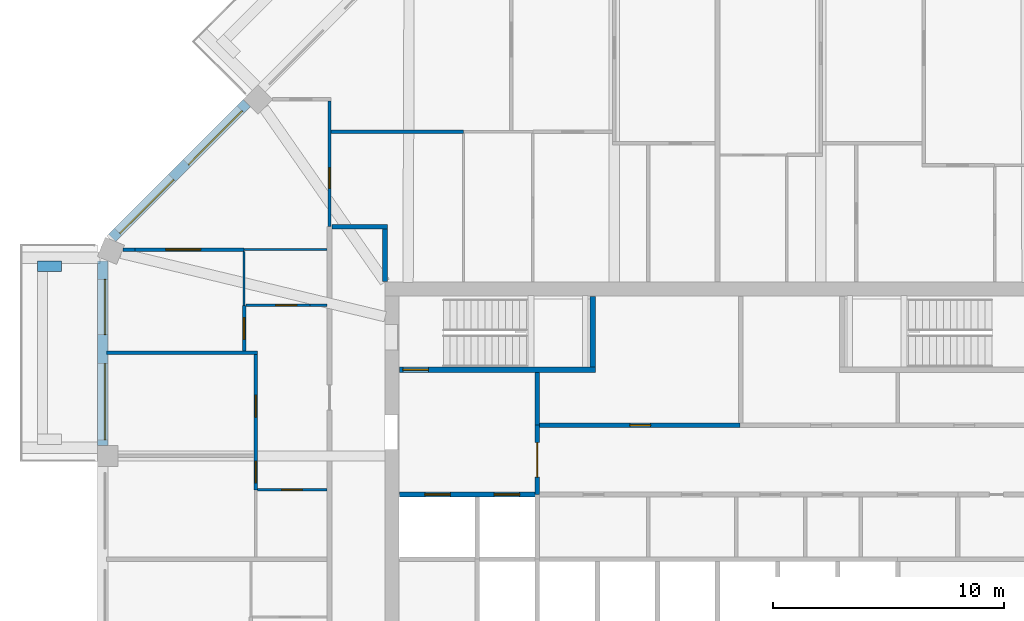
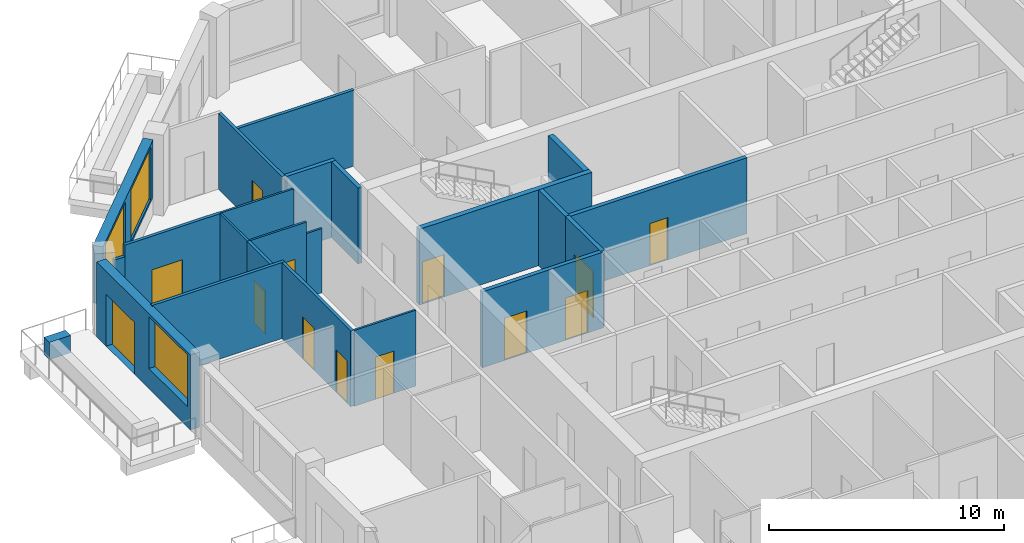
# One storey, part 7 of 12: 23 walls, 13 doors, 3 windows, 16 openings.
"""IFC4 building model written with IfcOpenShell, lengths in metres."""

from ifc_helpers import new_model, si_unit, direction, frame, frame_2d, origin, place, context, subcontext, project, spatial, rectangle, extrude, material, layer, layer_set, type_object, element, fill, save


model = new_model("IFC4")

# Units and contexts
model_context = context("Model", 3, precision=1e-05, world=origin(), true_north=direction((0.0, 1.0)))
body_context = subcontext(model_context, "Body", "Model", "MODEL_VIEW")
ifc_project = project(units=[si_unit("LENGTHUNIT", "METRE"), si_unit("AREAUNIT", "SQUARE_METRE"), si_unit("VOLUMEUNIT", "CUBIC_METRE"), si_unit("PLANEANGLEUNIT", "RADIAN"), si_unit("MASSUNIT", "GRAM", prefix="KILO")], contexts=[model_context])

# Site, building, storey
site_placement = place(None, origin())
site = spatial("IfcSite", under=ifc_project, at=site_placement, CompositionType="ELEMENT")
building_placement = place(site_placement, origin())
building = spatial("IfcBuilding", under=site, at=building_placement, Name="Msitu Wima Residences", CompositionType="ELEMENT")
storey_placement = place(building_placement, frame((0.0, 0.0, 272.699951171875)))
storey = spatial("IfcBuildingStorey", under=building, at=storey_placement, Name="L63", CompositionType="ELEMENT", Elevation=272.699951171875)

# Wall
ifc_material_1 = material(Name="Facing brick")
ifc_layer_1 = layer(ifc_material_1, 0.06494140625, Name="Facing brick")
ifc_material_2 = material(Name="Concrete C40/50", Category="concrete")
ifc_layer_2 = layer(ifc_material_2, 0.156005859375, Name="Concrete C40/50")
ifc_material_3 = material(Name="Waterproofing membrane")
ifc_layer_3 = layer(ifc_material_3, 0.00390625, Name="Waterproofing membrane")
ifc_material_4 = material(Name="Planting soil and planting")
ifc_layer_4 = layer(ifc_material_4, 0.22509765625, Name="Planting soil and planting")
ifc_layer_set_1 = layer_set([ifc_layer_1, ifc_layer_2, ifc_layer_3, ifc_layer_4], Name="Concrete C40/50")
wall_type_1 = type_object("IfcWallType", Name="Balcony planter PLANTER PL450", PredefinedType="USERDEFINED", material=ifc_layer_set_1)
wall_1_placement = place(storey_placement, frame((-28.39990234375, 12.680908203125, 0.0), z_axis=(0.0, 0.0, 1.0), x_axis=(-1.0, 0.0, 0.0)))
element("IfcWall", 1, at=wall_1_placement, inside=storey, type_object=wall_type_1, Name="Balcony planter W0 L63", ObjectType="PLANTER", PredefinedType="USERDEFINED", context=body_context, shape_type="SweptSolid", body=[
    extrude(rectangle(XDim=1.050048828125, YDim=0.449951171875, at=frame_2d((0.52490234375, 0.0))), origin(), (0.0, 0.0, 1.0), 0.900146484375),
])

# Wall, openings, windows
ifc_material_5 = material(Name="Brick (red buff mix)", Category="masonry")
ifc_layer_5 = layer(ifc_material_5, 0.449951171875)
ifc_layer_set_2 = layer_set([ifc_layer_5], Name="Brick (red buff mix)")
wall_type_2 = type_object("IfcWallType", Name="Brick infill wall BW450", PredefinedType="SOLIDWALL", material=ifc_layer_set_2)
wall_2_placement = place(storey_placement, frame((-20.380126953125, 19.743896484375, 0.900146484375), z_axis=(0.0, 0.0, 1.0), x_axis=(-0.707106781187, -0.707106781187, 0.0)))
wall_2 = element("IfcWall", 2, at=wall_2_placement, inside=storey, type_object=wall_type_2, Name="Brick infill wall L63 NW1", PredefinedType="SOLIDWALL", context=body_context, shape_type="SweptSolid", body=[
    extrude(rectangle(XDim=8.251220703125, YDim=0.449951171875, at=frame_2d((4.12548828125, 0.0))), origin(), (0.0, 0.0, 1.0), 3.0),
])
opening_1_placement = place(wall_2_placement, frame((0.37548828125, 0.0, 0.14990234375)))
opening_1 = element("IfcOpeningElement", 3, at=opening_1_placement, cuts=wall_2, Name="Opening W63-64.014", PredefinedType="OPENING", context=body_context, shape_type="SweptSolid", body=[
    extrude(rectangle(XDim=3.300048828125, YDim=2.699951171875, at=frame_2d((1.64990234375, 1.35009765625))), frame((0.0, 0.23486328125, 0.0), z_axis=(0.0, -1.0, 0.0), x_axis=(1.0, 0.0, 0.0)), (0.0, 0.0, 1.0), 0.469970703125),
])
opening_2_placement = place(wall_2_placement, frame((4.57568359375, 0.0, 0.14990234375)))
opening_2 = element("IfcOpeningElement", 4, at=opening_2_placement, cuts=wall_2, Name="Opening W63-64.015", PredefinedType="OPENING", context=body_context, shape_type="SweptSolid", body=[
    extrude(rectangle(XDim=3.300048828125, YDim=2.699951171875, at=frame_2d((1.64990234375, 1.35009765625))), frame((0.0, 0.23486328125, 0.0), z_axis=(0.0, -1.0, 0.0), x_axis=(1.0, 0.0, 0.0)), (0.0, 0.0, 1.0), 0.469970703125),
])
ifc_material_6 = material(Name="Anodised aluminium, bronze finish, clear low-emissivity double glazing", Category="aluminium")
window_type = type_object("IfcWindowType", Name="Window W3300x2700", PartitioningType="DOUBLE_PANEL_VERTICAL", PredefinedType="WINDOW", material=ifc_material_6)
window_1_placement = place(opening_1_placement, origin())
window_1 = element("IfcWindow", 5, at=window_1_placement, inside=storey, type_object=window_type, Name="Window L63 NW1.1", OverallHeight=2.699951171875, OverallWidth=3.300048828125, PartitioningType="SINGLE_PANEL", PredefinedType="WINDOW", context=body_context, shape_type="SweptSolid", body=[
    extrude(rectangle(XDim=3.300048828125, YDim=2.699951171875, at=frame_2d((1.64990234375, 1.35009765625))), frame((0.0, 0.135009765625, 0.0), z_axis=(0.0, -1.0, 0.0), x_axis=(1.0, 0.0, 0.0)), (0.0, 0.0, 1.0), 0.06005859375),
])
fill(opening_1, window_1)
window_2_placement = place(opening_2_placement, origin())
window_2 = element("IfcWindow", 6, at=window_2_placement, inside=storey, type_object=window_type, Name="Window L63 NW1.2", OverallHeight=2.699951171875, OverallWidth=3.300048828125, PartitioningType="SINGLE_PANEL", PredefinedType="WINDOW", context=body_context, shape_type="SweptSolid", body=[
    extrude(rectangle(XDim=3.300048828125, YDim=2.699951171875, at=frame_2d((1.64990234375, 1.35009765625))), frame((0.0, 0.135009765625, 0.0), z_axis=(0.0, -1.0, 0.0), x_axis=(1.0, 0.0, 0.0)), (0.0, 0.0, 1.0), 0.06005859375),
])
fill(opening_2, window_2)

# Wall, openings, door, window
wall_3_placement = place(storey_placement, frame((-26.625, 12.918701171875, 0.0), z_axis=(0.0, 0.0, 1.0), x_axis=(0.0, -1.0, 0.0)))
wall_3 = element("IfcWall", 7, at=wall_3_placement, inside=storey, type_object=wall_type_2, Name="Brick infill wall L63 W0", PredefinedType="SOLIDWALL", context=body_context, shape_type="SweptSolid", body=[
    extrude(rectangle(XDim=8.0, YDim=0.449951171875, at=frame_2d((4.0, 0.0))), origin(), (0.0, 0.0, 1.0), 3.900146484375),
])
opening_3_placement = place(wall_3_placement, frame((0.800048828125, 0.0, 0.0)))
opening_3 = element("IfcOpeningElement", 8, at=opening_3_placement, cuts=wall_3, Name="Opening D63-64.009", PredefinedType="OPENING", context=body_context, shape_type="SweptSolid", body=[
    extrude(rectangle(XDim=2.39990234375, YDim=2.699951171875, at=frame_2d((1.199951171875, 1.35009765625))), frame((0.0, 0.23486328125, 0.0), z_axis=(0.0, -1.0, 0.0), x_axis=(1.0, 0.0, 0.0)), (0.0, 0.0, 1.0), 0.469970703125),
])
opening_4_placement = place(wall_3_placement, frame((4.4501953125, 0.0, 1.050048828125)))
opening_4 = element("IfcOpeningElement", 9, at=opening_4_placement, cuts=wall_3, Name="Opening W63-64.027", PredefinedType="OPENING", context=body_context, shape_type="SweptSolid", body=[
    extrude(rectangle(XDim=3.300048828125, YDim=2.699951171875, at=frame_2d((1.64990234375, 1.35009765625))), frame((0.0, 0.23486328125, 0.0), z_axis=(0.0, -1.0, 0.0), x_axis=(1.0, 0.0, 0.0)), (0.0, 0.0, 1.0), 0.469970703125),
])
door_type_1 = type_object("IfcDoorType", Name="Balcony door D2400x2700", OperationType="SLIDING_TO_LEFT", PredefinedType="DOOR", material=ifc_material_6)
door_1_placement = place(opening_3_placement, origin())
door_1 = element("IfcDoor", 10, at=door_1_placement, inside=storey, type_object=door_type_1, Name="Balcony door L63 W0", OperationType="SINGLE_SWING_LEFT", OverallHeight=2.699951171875, OverallWidth=2.39990234375, PredefinedType="DOOR", context=body_context, shape_type="SweptSolid", body=[
    extrude(rectangle(XDim=2.39990234375, YDim=2.699951171875, at=frame_2d((1.199951171875, 1.35009765625))), frame((0.0, 0.1298828125, 0.0), z_axis=(0.0, -1.0, 0.0), x_axis=(1.0, 0.0, 0.0)), (0.0, 0.0, 1.0), 0.050048828125),
])
fill(opening_3, door_1)
window_3_placement = place(opening_4_placement, origin())
window_3 = element("IfcWindow", 11, at=window_3_placement, inside=storey, type_object=window_type, Name="Window L63 W0.2", OverallHeight=2.699951171875, OverallWidth=3.300048828125, PartitioningType="SINGLE_PANEL", PredefinedType="WINDOW", context=body_context, shape_type="SweptSolid", body=[
    extrude(rectangle(XDim=3.300048828125, YDim=2.699951171875, at=frame_2d((1.64990234375, 1.35009765625))), frame((0.0, 0.135009765625, 0.0), z_axis=(0.0, -1.0, 0.0), x_axis=(1.0, 0.0, 0.0)), (0.0, 0.0, 1.0), 0.06005859375),
])
fill(opening_4, window_3)

# Walls
ifc_material_7 = material(Name="Plaster")
ifc_layer_6 = layer(ifc_material_7, 0.011962890625, Name="Plaster")
ifc_material_8 = material(Name="Concrete blockwork", Category="masonry")
ifc_layer_7 = layer(ifc_material_8, 0.176025390625, Name="Concrete blockwork")
ifc_layer_8 = layer(ifc_material_7, 0.011962890625, Name="Plaster")
ifc_layer_set_3 = layer_set([ifc_layer_6, ifc_layer_7, ifc_layer_8], Name="Concrete blockwork")
wall_type_3 = type_object("IfcWallType", Name="Corridor wall FW200", PredefinedType="PARTITIONING", material=ifc_layer_set_3)
wall_4_placement = place(storey_placement, frame((-16.699951171875, 14.39990234375, 0.0), z_axis=(0.0, 0.0, 1.0), x_axis=(1.0, 0.0, 0.0)))
element("IfcWall", 12, at=wall_4_placement, inside=storey, type_object=wall_type_3, Name="Corridor wall", PredefinedType="PARTITIONING", context=body_context, shape_type="SweptSolid", body=[
    extrude(rectangle(XDim=2.39990234375, YDim=0.199951171875, at=frame_2d((1.199951171875, 0.0))), origin(), (0.0, 0.0, 1.0), 3.949951171875),
])
wall_5_placement = place(storey_placement, frame((-14.39990234375, 12.030029296875, 0.0), z_axis=(0.0, 0.0, 1.0), x_axis=(0.0, 1.0, 0.0)))
element("IfcWall", 13, at=wall_5_placement, inside=storey, type_object=wall_type_3, Name="Corridor wall", PredefinedType="PARTITIONING", context=body_context, shape_type="SweptSolid", body=[
    extrude(rectangle(XDim=2.27001953125, YDim=0.199951171875, at=frame_2d((1.135009765625, 0.0))), origin(), (0.0, 0.0, 1.0), 3.949951171875),
])

# Wall, opening, door
wall_6_placement = place(storey_placement, frame((-7.800048828125, 2.800048828125, 0.0), z_axis=(0.0, 0.0, 1.0), x_axis=(0.0, 1.0, 0.0)))
wall_6 = element("IfcWall", 14, at=wall_6_placement, inside=storey, type_object=wall_type_3, Name="Corridor wall", PredefinedType="PARTITIONING", context=body_context, shape_type="SweptSolid", body=[
    extrude(rectangle(XDim=3.0, YDim=0.199951171875, at=frame_2d((1.5, 0.0))), origin(), (0.0, 0.0, 1.0), 3.949951171875),
])
opening_5_placement = place(wall_6_placement, frame((0.75, 0.0, 0.0)))
opening_5 = element("IfcOpeningElement", 15, at=opening_5_placement, cuts=wall_6, Name="Opening D63-64.069", PredefinedType="OPENING", context=body_context, shape_type="SweptSolid", body=[
    extrude(rectangle(XDim=1.5, YDim=2.39990234375, at=frame_2d((0.75, 1.199951171875))), frame((0.0, 0.10986328125, 0.0), z_axis=(0.0, -1.0, 0.0), x_axis=(1.0, 0.0, 0.0)), (0.0, 0.0, 1.0), 0.219970703125),
])
ifc_material_9 = material(Name="Steel framed glazed door, fire resisting", Category="steel")
door_type_2 = type_object("IfcDoorType", Name="Lobby door D07 1500x2400", OperationType="DOUBLE_DOOR_SINGLE_SWING", PredefinedType="DOOR", material=ifc_material_9)
door_2_placement = place(opening_5_placement, origin())
door_2 = element("IfcDoor", 16, at=door_2_placement, inside=storey, type_object=door_type_2, Name="Lobby door", OperationType="DOUBLE_DOOR_SINGLE_SWING", OverallHeight=2.39990234375, OverallWidth=1.5, PredefinedType="DOOR", context=body_context, shape_type="SweptSolid", body=[
    extrude(rectangle(XDim=1.5, YDim=2.39990234375, at=frame_2d((0.75, 1.199951171875))), frame((0.0, 0.02490234375, 0.0), z_axis=(0.0, -1.0, 0.0), x_axis=(1.0, 0.0, 0.0)), (0.0, 0.0, 1.0), 0.050048828125),
])
fill(opening_5, door_2)

# Walls
ifc_layer_9 = layer(ifc_material_7, 0.011962890625, Name="Plaster")
ifc_layer_10 = layer(ifc_material_8, 0.1259765625, Name="Concrete blockwork")
ifc_layer_11 = layer(ifc_material_7, 0.011962890625, Name="Plaster")
ifc_layer_set_4 = layer_set([ifc_layer_9, ifc_layer_10, ifc_layer_11], Name="Concrete blockwork")
wall_type_4 = type_object("IfcWallType", Name="Partition PW150", PredefinedType="PARTITIONING", material=ifc_layer_set_4)
wall_7_placement = place(storey_placement, frame((-26.455078125, 8.937255859375, 0.0), z_axis=(0.0, 0.0, 1.0), x_axis=(1.0, 0.0, 0.0)))
element("IfcWall", 17, at=wall_7_placement, inside=storey, type_object=wall_type_4, Name="Partition", PredefinedType="PARTITIONING", context=body_context, shape_type="SweptSolid", body=[
    extrude(rectangle(XDim=6.530029296875, YDim=0.14990234375, at=frame_2d((3.26513671875, 0.0))), origin(), (0.0, 0.0, 1.0), 3.949951171875),
])
wall_8_placement = place(storey_placement, frame((-25.731201171875, 13.406005859375, 0.0), z_axis=(0.0, 0.0, 1.0), x_axis=(1.0, 0.0, 0.0)))
element("IfcWall", 18, at=wall_8_placement, inside=storey, type_object=wall_type_4, Name="Partition", PredefinedType="PARTITIONING", context=body_context, shape_type="SweptSolid", body=[
    extrude(rectangle(XDim=0.507080078125, YDim=0.14990234375, at=frame_2d((0.25341796875, 0.0))), origin(), (0.0, 0.0, 1.0), 3.35009765625),
])

# Wall, opening, door
wall_9_placement = place(storey_placement, frame((-25.22412109375, 13.406005859375, 0.0), z_axis=(0.0, 0.0, 1.0), x_axis=(1.0, 0.0, 0.0)))
wall_9 = element("IfcWall", 19, at=wall_9_placement, inside=storey, type_object=wall_type_4, Name="Partition", PredefinedType="PARTITIONING", context=body_context, shape_type="SweptSolid", body=[
    extrude(rectangle(XDim=4.72412109375, YDim=0.14990234375, at=frame_2d((2.362060546875, 0.0))), origin(), (0.0, 0.0, 1.0), 3.949951171875),
])
opening_6_placement = place(wall_9_placement, frame((1.3427734375, 0.0, 0.0)))
opening_6 = element("IfcOpeningElement", 20, at=opening_6_placement, cuts=wall_9, Name="Opening D63-64.035", PredefinedType="OPENING", context=body_context, shape_type="SweptSolid", body=[
    extrude(rectangle(XDim=1.5, YDim=2.199951171875, at=frame_2d((0.75, 1.10009765625))), frame((0.0, 0.0849609375, 0.0), z_axis=(0.0, -1.0, 0.0), x_axis=(1.0, 0.0, 0.0)), (0.0, 0.0, 1.0), 0.169921875),
])
ifc_material_10 = material(Name="Timber double door", Category="wood")
door_type_3 = type_object("IfcDoorType", Name="Double door D04 1500x2200", OperationType="DOUBLE_DOOR_SINGLE_SWING", PredefinedType="DOOR", material=ifc_material_10)
door_3_placement = place(opening_6_placement, origin())
door_3 = element("IfcDoor", 21, at=door_3_placement, inside=storey, type_object=door_type_3, Name="Double door", OperationType="DOUBLE_DOOR_SINGLE_SWING", OverallHeight=2.199951171875, OverallWidth=1.5, PredefinedType="DOOR", context=body_context, shape_type="SweptSolid", body=[
    extrude(rectangle(XDim=1.5, YDim=2.199951171875, at=frame_2d((0.75, 1.10009765625))), frame((0.0, 0.02490234375, 0.0), z_axis=(0.0, -1.0, 0.0), x_axis=(1.0, 0.0, 0.0)), (0.0, 0.0, 1.0), 0.050048828125),
])
fill(opening_6, door_3)

wall_10_placement = place(storey_placement, frame((-20.5, 9.01220703125, 0.0), z_axis=(0.0, 0.0, 1.0), x_axis=(0.0, 1.0, 0.0)))
wall_10 = element("IfcWall", 22, at=wall_10_placement, inside=storey, type_object=wall_type_4, Name="Partition", PredefinedType="PARTITIONING", context=body_context, shape_type="SweptSolid", body=[
    extrude(rectangle(XDim=1.9677734375, YDim=0.14990234375, at=frame_2d((0.98388671875, 0.0))), origin(), (0.0, 0.0, 1.0), 3.949951171875),
])
opening_7_placement = place(wall_10_placement, frame((0.5, 0.0, 0.0)))
opening_7 = element("IfcOpeningElement", 23, at=opening_7_placement, cuts=wall_10, Name="Opening D63-64.034", PredefinedType="OPENING", context=body_context, shape_type="SweptSolid", body=[
    extrude(rectangle(XDim=0.949951171875, YDim=2.199951171875, at=frame_2d((0.47509765625, 1.10009765625))), frame((0.0, 0.0849609375, 0.0), z_axis=(0.0, -1.0, 0.0), x_axis=(1.0, 0.0, 0.0)), (0.0, 0.0, 1.0), 0.169921875),
])
ifc_material_11 = material(Name="Timber flush door", Category="wood")
door_type_4 = type_object("IfcDoorType", Name="Room door D12 950x2200", OperationType="SINGLE_SWING_LEFT", PredefinedType="DOOR", material=ifc_material_11)
door_4_placement = place(opening_7_placement, origin())
door_4 = element("IfcDoor", 24, at=door_4_placement, inside=storey, type_object=door_type_4, Name="Room door", OperationType="SINGLE_SWING_LEFT", OverallHeight=2.199951171875, OverallWidth=0.949951171875, PredefinedType="DOOR", context=body_context, shape_type="SweptSolid", body=[
    extrude(rectangle(XDim=0.949951171875, YDim=2.199951171875, at=frame_2d((0.47509765625, 1.10009765625))), frame((0.0, 0.02490234375, 0.0), z_axis=(0.0, -1.0, 0.0), x_axis=(1.0, 0.0, 0.0)), (0.0, 0.0, 1.0), 0.050048828125),
])
fill(opening_7, door_4)

# Wall, openings, doors
wall_11_placement = place(storey_placement, frame((-20.0, 3.0, 0.0), z_axis=(0.0, 0.0, 1.0), x_axis=(0.0, 1.0, 0.0)))
wall_11 = element("IfcWall", 25, at=wall_11_placement, inside=storey, type_object=wall_type_4, Name="Partition", PredefinedType="PARTITIONING", context=body_context, shape_type="SweptSolid", body=[
    extrude(rectangle(XDim=5.8623046875, YDim=0.14990234375, at=frame_2d((2.93115234375, 0.0))), origin(), (0.0, 0.0, 1.0), 3.949951171875),
])
opening_8_placement = place(wall_11_placement, frame((0.300048828125, 0.0, 0.0)))
opening_8 = element("IfcOpeningElement", 26, at=opening_8_placement, cuts=wall_11, Name="Opening D63-64.032", PredefinedType="OPENING", context=body_context, shape_type="SweptSolid", body=[
    extrude(rectangle(XDim=0.949951171875, YDim=2.199951171875, at=frame_2d((0.47509765625, 1.10009765625))), frame((0.0, 0.0849609375, 0.0), z_axis=(0.0, -1.0, 0.0), x_axis=(1.0, 0.0, 0.0)), (0.0, 0.0, 1.0), 0.169921875),
])
opening_9_placement = place(wall_11_placement, frame((3.14990234375, 0.0, 0.0)))
opening_9 = element("IfcOpeningElement", 27, at=opening_9_placement, cuts=wall_11, Name="Opening D63-64.033", PredefinedType="OPENING", context=body_context, shape_type="SweptSolid", body=[
    extrude(rectangle(XDim=0.949951171875, YDim=2.199951171875, at=frame_2d((0.47509765625, 1.10009765625))), frame((0.0, 0.0849609375, 0.0), z_axis=(0.0, -1.0, 0.0), x_axis=(1.0, 0.0, 0.0)), (0.0, 0.0, 1.0), 0.169921875),
])
door_5_placement = place(opening_8_placement, origin())
door_5 = element("IfcDoor", 28, at=door_5_placement, inside=storey, type_object=door_type_4, Name="Room door", OperationType="SINGLE_SWING_RIGHT", OverallHeight=2.199951171875, OverallWidth=0.949951171875, PredefinedType="DOOR", context=body_context, shape_type="SweptSolid", body=[
    extrude(rectangle(XDim=0.949951171875, YDim=2.199951171875, at=frame_2d((0.47509765625, 1.10009765625))), frame((0.0, 0.02490234375, 0.0), z_axis=(0.0, -1.0, 0.0), x_axis=(1.0, 0.0, 0.0)), (0.0, 0.0, 1.0), 0.050048828125),
])
fill(opening_8, door_5)
door_6_placement = place(opening_9_placement, origin())
door_6 = element("IfcDoor", 29, at=door_6_placement, inside=storey, type_object=door_type_4, Name="Room door", OperationType="SINGLE_SWING_LEFT", OverallHeight=2.199951171875, OverallWidth=0.949951171875, PredefinedType="DOOR", context=body_context, shape_type="SweptSolid", body=[
    extrude(rectangle(XDim=0.949951171875, YDim=2.199951171875, at=frame_2d((0.47509765625, 1.10009765625))), frame((0.0, 0.02490234375, 0.0), z_axis=(0.0, -1.0, 0.0), x_axis=(1.0, 0.0, 0.0)), (0.0, 0.0, 1.0), 0.050048828125),
])
fill(opening_9, door_6)

# Wall, opening, door
wall_12_placement = place(storey_placement, frame((-16.800048828125, 14.39990234375, 0.0), z_axis=(0.0, 0.0, 1.0), x_axis=(0.0, 1.0, 0.0)))
wall_12 = element("IfcWall", 30, at=wall_12_placement, inside=storey, type_object=wall_type_4, Name="Partition", PredefinedType="PARTITIONING", context=body_context, shape_type="SweptSolid", body=[
    extrude(rectangle(XDim=5.427978515625, YDim=0.14990234375, at=frame_2d((2.7138671875, 0.0))), origin(), (0.0, 0.0, 1.0), 3.949951171875),
])
opening_10_placement = place(wall_12_placement, frame((1.64990234375, 0.0, 0.0)))
opening_10 = element("IfcOpeningElement", 31, at=opening_10_placement, cuts=wall_12, Name="Opening D63-64.036", PredefinedType="OPENING", context=body_context, shape_type="SweptSolid", body=[
    extrude(rectangle(XDim=0.89990234375, YDim=2.199951171875, at=frame_2d((0.449951171875, 1.10009765625))), frame((0.0, 0.0849609375, 0.0), z_axis=(0.0, -1.0, 0.0), x_axis=(1.0, 0.0, 0.0)), (0.0, 0.0, 1.0), 0.169921875),
])
door_type_5 = type_object("IfcDoorType", Name="Service door D05 900x2200", OperationType="SINGLE_SWING_LEFT", PredefinedType="DOOR", material=ifc_material_11)
door_7_placement = place(opening_10_placement, origin())
door_7 = element("IfcDoor", 32, at=door_7_placement, inside=storey, type_object=door_type_5, Name="Service door", OperationType="SINGLE_SWING_LEFT", OverallHeight=2.199951171875, OverallWidth=0.89990234375, PredefinedType="DOOR", context=body_context, shape_type="SweptSolid", body=[
    extrude(rectangle(XDim=0.89990234375, YDim=2.199951171875, at=frame_2d((0.449951171875, 1.10009765625))), frame((0.0, 0.02490234375, 0.0), z_axis=(0.0, -1.0, 0.0), x_axis=(1.0, 0.0, 0.0)), (0.0, 0.0, 1.0), 0.050048828125),
])
fill(opening_10, door_7)

# Walls
wall_13_placement = place(storey_placement, frame((-16.72509765625, 18.5, 0.0), z_axis=(0.0, 0.0, 1.0), x_axis=(1.0, 0.0, 0.0)))
element("IfcWall", 33, at=wall_13_placement, inside=storey, type_object=wall_type_4, Name="Partition", PredefinedType="PARTITIONING", context=body_context, shape_type="SweptSolid", body=[
    extrude(rectangle(XDim=5.72509765625, YDim=0.14990234375, at=frame_2d((2.862548828125, 0.0))), origin(), (0.0, 0.0, 1.0), 3.949951171875),
])
ifc_layer_12 = layer(ifc_material_7, 0.011962890625, Name="Plaster")
ifc_material_12 = material(Name="Reinforced concrete blockwork", Category="masonry")
ifc_layer_13 = layer(ifc_material_12, 0.176025390625, Name="Reinforced concrete blockwork")
ifc_layer_14 = layer(ifc_material_7, 0.011962890625, Name="Plaster")
ifc_layer_set_5 = layer_set([ifc_layer_12, ifc_layer_13, ifc_layer_14], Name="Reinforced concrete blockwork")
wall_type_5 = type_object("IfcWallType", Name="Plant and riser wall PL200", PredefinedType="PARTITIONING", material=ifc_layer_set_5)
wall_14_placement = place(storey_placement, frame((-7.800048828125, 5.800048828125, 0.0), z_axis=(0.0, 0.0, 1.0), x_axis=(0.0, 1.0, 0.0)))
element("IfcWall", 34, at=wall_14_placement, inside=storey, type_object=wall_type_5, Name="Plant and riser wall", PredefinedType="PARTITIONING", context=body_context, shape_type="SweptSolid", body=[
    extrude(rectangle(XDim=2.27490234375, YDim=0.199951171875, at=frame_2d((1.137451171875, 0.0))), origin(), (0.0, 0.0, 1.0), 3.949951171875),
])

# Wall, opening, door
wall_15_placement = place(storey_placement, frame((-7.699951171875, 5.800048828125, 0.0), z_axis=(0.0, 0.0, 1.0), x_axis=(1.0, 0.0, 0.0)))
wall_15 = element("IfcWall", 35, at=wall_15_placement, inside=storey, type_object=wall_type_5, Name="Plant and riser wall", PredefinedType="PARTITIONING", context=body_context, shape_type="SweptSolid", body=[
    extrude(rectangle(XDim=8.679931640625, YDim=0.199951171875, at=frame_2d((4.33984375, 0.0))), origin(), (0.0, 0.0, 1.0), 3.949951171875),
])
opening_11_placement = place(wall_15_placement, frame((3.89990234375, 0.0, 0.0)))
opening_11 = element("IfcOpeningElement", 36, at=opening_11_placement, cuts=wall_15, Name="Opening D63-64.072", PredefinedType="OPENING", context=body_context, shape_type="SweptSolid", body=[
    extrude(rectangle(XDim=0.89990234375, YDim=2.199951171875, at=frame_2d((0.449951171875, 1.10009765625))), frame((0.0, 0.10986328125, 0.0), z_axis=(0.0, -1.0, 0.0), x_axis=(1.0, 0.0, 0.0)), (0.0, 0.0, 1.0), 0.219970703125),
])
door_8_placement = place(opening_11_placement, origin())
door_8 = element("IfcDoor", 37, at=door_8_placement, inside=storey, type_object=door_type_5, Name="Service door", OperationType="SINGLE_SWING_RIGHT", OverallHeight=2.199951171875, OverallWidth=0.89990234375, PredefinedType="DOOR", context=body_context, shape_type="SweptSolid", body=[
    extrude(rectangle(XDim=0.89990234375, YDim=2.199951171875, at=frame_2d((0.449951171875, 1.10009765625))), frame((0.0, 0.02490234375, 0.0), z_axis=(0.0, -1.0, 0.0), x_axis=(1.0, 0.0, 0.0)), (0.0, 0.0, 1.0), 0.050048828125),
])
fill(opening_11, door_8)

# Wall, openings, doors
ifc_material_13 = material(Name="Fire-rated board")
ifc_layer_15 = layer(ifc_material_13, 0.02490234375, Name="Fire-rated board")
ifc_material_14 = material(Name="Light-gauge stud framing with mineral wool")
ifc_layer_16 = layer(ifc_material_14, 0.14990234375, Name="Light-gauge stud framing with mineral wool")
ifc_layer_17 = layer(ifc_material_13, 0.02490234375, Name="Fire-rated board")
ifc_layer_set_6 = layer_set([ifc_layer_15, ifc_layer_16, ifc_layer_17], Name="Light-gauge stud framing with mineral wool")
wall_type_6 = type_object("IfcWallType", Name="Shaft wall SH200", PredefinedType="PARTITIONING", material=ifc_layer_set_6)
wall_16_placement = place(storey_placement, frame((-13.77001953125, 2.800048828125, 0.0), z_axis=(0.0, 0.0, 1.0), x_axis=(1.0, 0.0, 0.0)))
wall_16 = element("IfcWall", 38, at=wall_16_placement, inside=storey, type_object=wall_type_6, Name="Shaft wall", PredefinedType="PARTITIONING", context=body_context, shape_type="SweptSolid", body=[
    extrude(rectangle(XDim=5.949951171875, YDim=0.199951171875, at=frame_2d((2.97509765625, 0.0))), origin(), (0.0, 0.0, 1.0), 3.949951171875),
])
opening_12_placement = place(wall_16_placement, frame((1.10009765625, 0.0, 0.0)))
opening_12 = element("IfcOpeningElement", 39, at=opening_12_placement, cuts=wall_16, Name="Opening LD", PredefinedType="OPENING", context=body_context, shape_type="SweptSolid", body=[
    extrude(rectangle(XDim=1.10009765625, YDim=2.199951171875, at=frame_2d((0.550048828125, 1.10009765625))), frame((0.0, 0.10986328125, 0.0), z_axis=(0.0, -1.0, 0.0), x_axis=(1.0, 0.0, 0.0)), (0.0, 0.0, 1.0), 0.219970703125),
])
opening_13_placement = place(wall_16_placement, frame((4.10009765625, 0.0, 0.0)))
opening_13 = element("IfcOpeningElement", 40, at=opening_13_placement, cuts=wall_16, Name="Opening LD", PredefinedType="OPENING", context=body_context, shape_type="SweptSolid", body=[
    extrude(rectangle(XDim=1.10009765625, YDim=2.199951171875, at=frame_2d((0.550048828125, 1.10009765625))), frame((0.0, 0.10986328125, 0.0), z_axis=(0.0, -1.0, 0.0), x_axis=(1.0, 0.0, 0.0)), (0.0, 0.0, 1.0), 0.219970703125),
])
ifc_material_15 = material(Name="Stainless steel centre-opening landing door, rated", Category="steel")
door_type_6 = type_object("IfcDoorType", Name="Lift landing door LD 1100x2200", OperationType="DOUBLE_DOOR_SLIDING", PredefinedType="DOOR", material=ifc_material_15)
door_9_placement = place(opening_12_placement, origin())
door_9 = element("IfcDoor", 41, at=door_9_placement, inside=storey, type_object=door_type_6, Name="Lift landing door LD1", OperationType="DOUBLE_DOOR_SLIDING", OverallHeight=2.199951171875, OverallWidth=1.10009765625, PredefinedType="DOOR", context=body_context, shape_type="SweptSolid", body=[
    extrude(rectangle(XDim=1.10009765625, YDim=2.199951171875, at=frame_2d((0.550048828125, 1.10009765625))), frame((0.0, 0.02490234375, 0.0), z_axis=(0.0, -1.0, 0.0), x_axis=(1.0, 0.0, 0.0)), (0.0, 0.0, 1.0), 0.050048828125),
])
fill(opening_12, door_9)
door_10_placement = place(opening_13_placement, origin())
door_10 = element("IfcDoor", 42, at=door_10_placement, inside=storey, type_object=door_type_6, Name="Lift landing door LD2", OperationType="DOUBLE_DOOR_SLIDING", OverallHeight=2.199951171875, OverallWidth=1.10009765625, PredefinedType="DOOR", context=body_context, shape_type="SweptSolid", body=[
    extrude(rectangle(XDim=1.10009765625, YDim=2.199951171875, at=frame_2d((0.550048828125, 1.10009765625))), frame((0.0, 0.02490234375, 0.0), z_axis=(0.0, -1.0, 0.0), x_axis=(1.0, 0.0, 0.0)), (0.0, 0.0, 1.0), 0.050048828125),
])
fill(opening_13, door_10)

# Wall, opening, door
ifc_material_16 = material(Name="Concrete C50/60", Category="concrete")
ifc_layer_18 = layer(ifc_material_16, 0.25)
ifc_layer_set_7 = layer_set([ifc_layer_18], Name="Concrete C50/60")
wall_type_7 = type_object("IfcWallType", Name="Stair enclosure wall SW250", PredefinedType="SHEAR", material=ifc_layer_set_7)
wall_17_placement = place(storey_placement, frame((-13.77001953125, 8.199951171875, 0.0), z_axis=(0.0, 0.0, 1.0), x_axis=(1.0, 0.0, 0.0)))
wall_17 = element("IfcWall", 43, at=wall_17_placement, inside=storey, type_object=wall_type_7, Name="Stair enclosure wall", PredefinedType="SHEAR", context=body_context, shape_type="SweptSolid", body=[
    extrude(rectangle(XDim=8.4951171875, YDim=0.25, at=frame_2d((4.24755859375, 0.0))), origin(), (0.0, 0.0, 1.0), 3.949951171875),
])
opening_14_placement = place(wall_17_placement, frame((0.14990234375, 0.0, 0.0)))
opening_14 = element("IfcOpeningElement", 44, at=opening_14_placement, cuts=wall_17, Name="Opening D63-64.087", PredefinedType="OPENING", context=body_context, shape_type="SweptSolid", body=[
    extrude(rectangle(XDim=1.10009765625, YDim=2.199951171875, at=frame_2d((0.550048828125, 1.10009765625))), frame((0.0, 0.135009765625, 0.0), z_axis=(0.0, -1.0, 0.0), x_axis=(1.0, 0.0, 0.0)), (0.0, 0.0, 1.0), 0.27001953125),
])
ifc_material_17 = material(Name="Steel door, fire resisting, panic bar", Category="steel")
door_type_7 = type_object("IfcDoorType", Name="Stair door D06 1100x2200", OperationType="SINGLE_SWING_LEFT", PredefinedType="DOOR", material=ifc_material_17)
door_11_placement = place(opening_14_placement, origin())
door_11 = element("IfcDoor", 45, at=door_11_placement, inside=storey, type_object=door_type_7, Name="Stair door", OperationType="SINGLE_SWING_LEFT", OverallHeight=2.199951171875, OverallWidth=1.10009765625, PredefinedType="DOOR", context=body_context, shape_type="SweptSolid", body=[
    extrude(rectangle(XDim=1.10009765625, YDim=2.199951171875, at=frame_2d((0.550048828125, 1.10009765625))), frame((0.0, 0.02490234375, 0.0), z_axis=(0.0, -1.0, 0.0), x_axis=(1.0, 0.0, 0.0)), (0.0, 0.0, 1.0), 0.050048828125),
])
fill(opening_14, door_11)

# Walls
wall_18_placement = place(storey_placement, frame((-5.39990234375, 8.324951171875, 0.0), z_axis=(0.0, 0.0, 1.0), x_axis=(0.0, 1.0, 0.0)))
element("IfcWall", 46, at=wall_18_placement, inside=storey, type_object=wall_type_7, Name="Stair enclosure wall", PredefinedType="SHEAR", context=body_context, shape_type="SweptSolid", body=[
    extrude(rectangle(XDim=3.045166015625, YDim=0.25, at=frame_2d((1.5224609375, 0.0))), origin(), (0.0, 0.0, 1.0), 3.949951171875),
])
ifc_material_18 = material(Name="Ceramic tiles")
ifc_layer_19 = layer(ifc_material_18, 0.008056640625, Name="Ceramic tiles")
ifc_material_19 = material(Name="Moisture-resistant board")
ifc_layer_20 = layer(ifc_material_19, 0.012451171875, Name="Moisture-resistant board")
ifc_layer_21 = layer(ifc_material_14, 0.06689453125, Name="Light-gauge stud framing with mineral wool")
ifc_layer_22 = layer(ifc_material_19, 0.012451171875, Name="Moisture-resistant board")
ifc_layer_set_8 = layer_set([ifc_layer_19, ifc_layer_20, ifc_layer_21, ifc_layer_22], Name="Light-gauge stud framing with mineral wool")
wall_type_8 = type_object("IfcWallType", Name="Wet wall PW100", PredefinedType="PARTITIONING", material=ifc_layer_set_8)
wall_19_placement = place(storey_placement, frame((-20.5, 10.97998046875, 0.0), z_axis=(0.0, 0.0, 1.0), x_axis=(0.0, 1.0, 0.0)))
element("IfcWall", 47, at=wall_19_placement, inside=storey, type_object=wall_type_8, Name="Wet wall", PredefinedType="PARTITIONING", context=body_context, shape_type="SweptSolid", body=[
    extrude(rectangle(XDim=2.350830078125, YDim=0.10009765625, at=frame_2d((1.17529296875, 0.0))), origin(), (0.0, 0.0, 1.0), 3.949951171875),
])

# Wall, opening, door
wall_20_placement = place(storey_placement, frame((-20.425048828125, 11.0, 0.0), z_axis=(0.0, 0.0, 1.0), x_axis=(1.0, 0.0, 0.0)))
wall_20 = element("IfcWall", 48, at=wall_20_placement, inside=storey, type_object=wall_type_8, Name="Wet wall", PredefinedType="PARTITIONING", context=body_context, shape_type="SweptSolid", body=[
    extrude(rectangle(XDim=2.771240234375, YDim=0.10009765625, at=frame_2d((1.3857421875, 0.0))), origin(), (0.0, 0.0, 1.0), 3.949951171875),
])
opening_15_placement = place(wall_20_placement, frame((1.300048828125, 0.0, 0.0)))
opening_15 = element("IfcOpeningElement", 49, at=opening_15_placement, cuts=wall_20, Name="Opening D63-64.031", PredefinedType="OPENING", context=body_context, shape_type="SweptSolid", body=[
    extrude(rectangle(XDim=0.89990234375, YDim=2.199951171875, at=frame_2d((0.449951171875, 1.10009765625))), frame((0.0, 0.06005859375, 0.0), z_axis=(0.0, -1.0, 0.0), x_axis=(1.0, 0.0, 0.0)), (0.0, 0.0, 1.0), 0.1201171875),
])
ifc_material_20 = material(Name="Timber flush door, moisture resistant", Category="wood")
door_type_8 = type_object("IfcDoorType", Name="Bathroom door D03 900x2200", OperationType="SINGLE_SWING_LEFT", PredefinedType="DOOR", material=ifc_material_20)
door_12_placement = place(opening_15_placement, origin())
door_12 = element("IfcDoor", 50, at=door_12_placement, inside=storey, type_object=door_type_8, Name="Bathroom door", OperationType="SINGLE_SWING_LEFT", OverallHeight=2.199951171875, OverallWidth=0.89990234375, PredefinedType="DOOR", context=body_context, shape_type="SweptSolid", body=[
    extrude(rectangle(XDim=0.89990234375, YDim=2.199951171875, at=frame_2d((0.449951171875, 1.10009765625))), frame((0.0, 0.02490234375, 0.0), z_axis=(0.0, -1.0, 0.0), x_axis=(1.0, 0.0, 0.0)), (0.0, 0.0, 1.0), 0.050048828125),
])
fill(opening_15, door_12)

# Walls
wall_21_placement = place(storey_placement, frame((-17.65380859375, 11.0, 0.0), z_axis=(0.0, 0.0, 1.0), x_axis=(1.0, 0.0, 0.0)))
element("IfcWall", 51, at=wall_21_placement, inside=storey, type_object=wall_type_8, Name="Wet wall", PredefinedType="PARTITIONING", context=body_context, shape_type="SweptSolid", body=[
    extrude(rectangle(XDim=0.75390625, YDim=0.10009765625, at=frame_2d((0.376953125, 0.0))), origin(), (0.0, 0.0, 1.0), 3.35009765625),
])
wall_22_placement = place(storey_placement, frame((-20.5, 13.406005859375, 0.0), z_axis=(0.0, 0.0, 1.0), x_axis=(1.0, 0.0, 0.0)))
element("IfcWall", 52, at=wall_22_placement, inside=storey, type_object=wall_type_8, Name="Wet wall", PredefinedType="PARTITIONING", context=body_context, shape_type="SweptSolid", body=[
    extrude(rectangle(XDim=3.60009765625, YDim=0.10009765625, at=frame_2d((1.800048828125, 0.0))), origin(), (0.0, 0.0, 1.0), 3.949951171875),
])

# Wall, opening, door
wall_23_placement = place(storey_placement, frame((-19.925048828125, 3.0, 0.0), z_axis=(0.0, 0.0, 1.0), x_axis=(1.0, 0.0, 0.0)))
wall_23 = element("IfcWall", 53, at=wall_23_placement, inside=storey, type_object=wall_type_8, Name="Wet wall", PredefinedType="PARTITIONING", context=body_context, shape_type="SweptSolid", body=[
    extrude(rectangle(XDim=3.025146484375, YDim=0.10009765625, at=frame_2d((1.5126953125, 0.0))), origin(), (0.0, 0.0, 1.0), 3.949951171875),
])
opening_16_placement = place(wall_23_placement, frame((1.050048828125, 0.0, 0.0)))
opening_16 = element("IfcOpeningElement", 54, at=opening_16_placement, cuts=wall_23, Name="Opening D63-64.026", PredefinedType="OPENING", context=body_context, shape_type="SweptSolid", body=[
    extrude(rectangle(XDim=0.89990234375, YDim=2.199951171875, at=frame_2d((0.449951171875, 1.10009765625))), frame((0.0, 0.06005859375, 0.0), z_axis=(0.0, -1.0, 0.0), x_axis=(1.0, 0.0, 0.0)), (0.0, 0.0, 1.0), 0.1201171875),
])
door_13_placement = place(opening_16_placement, origin())
door_13 = element("IfcDoor", 55, at=door_13_placement, inside=storey, type_object=door_type_8, Name="Bathroom door", OperationType="SINGLE_SWING_RIGHT", OverallHeight=2.199951171875, OverallWidth=0.89990234375, PredefinedType="DOOR", context=body_context, shape_type="SweptSolid", body=[
    extrude(rectangle(XDim=0.89990234375, YDim=2.199951171875, at=frame_2d((0.449951171875, 1.10009765625))), frame((0.0, 0.02490234375, 0.0), z_axis=(0.0, -1.0, 0.0), x_axis=(1.0, 0.0, 0.0)), (0.0, 0.0, 1.0), 0.050048828125),
])
fill(opening_16, door_13)

save(model, "model.ifc")
